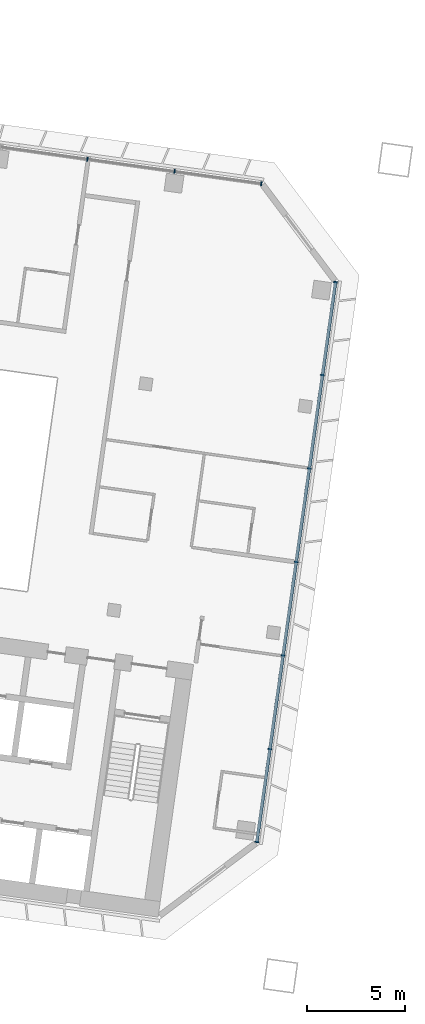
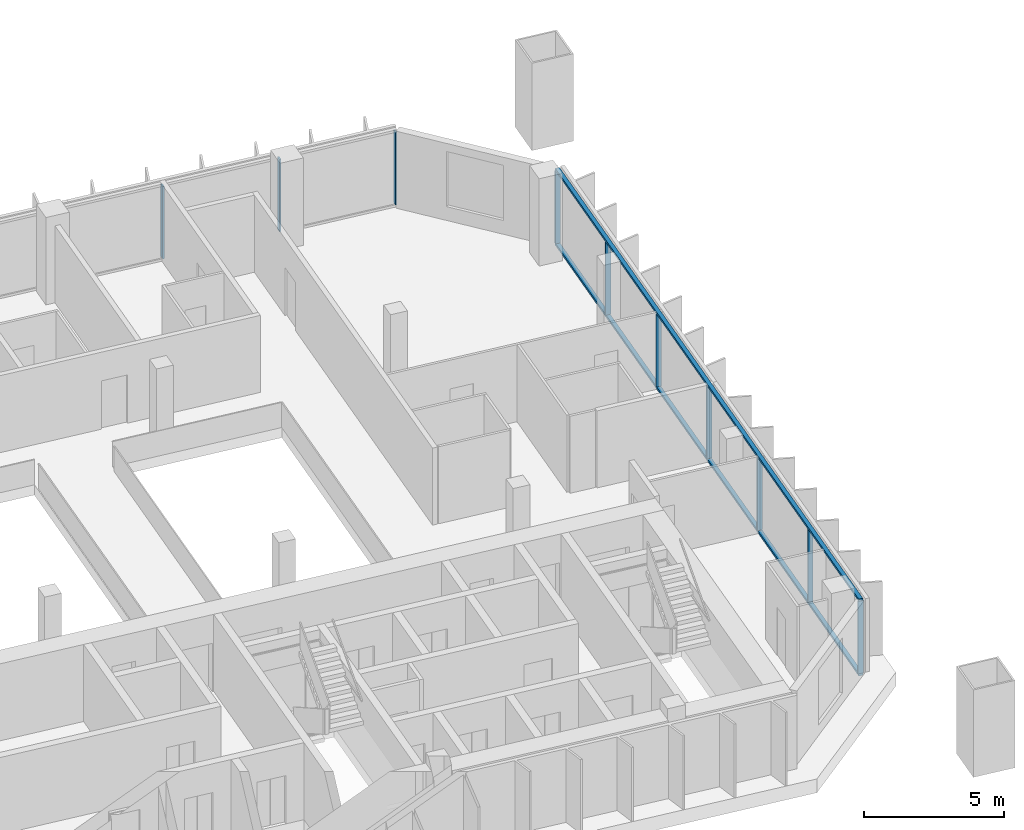
# One storey, part 6 of 26: 12 members, 2 elements without a shape of their own.
"""IFC4 building model written with IfcOpenShell, lengths in metres."""

from ifc_helpers import new_model, si_unit, direction, frame, origin, origin_2d, place, context, subcontext, project, spatial, rectangle, extrude, material, material_profile, profile_set, type_object, element, aggregate, save


model = new_model("IFC4")

# Units and contexts
model_context = context("Model", 3, precision=1e-05, world=origin(), true_north=direction((0.0, 1.0)))
body_context = subcontext(model_context, "Body", "Model", "MODEL_VIEW")
ifc_project = project(units=[si_unit("LENGTHUNIT", "METRE"), si_unit("AREAUNIT", "SQUARE_METRE"), si_unit("VOLUMEUNIT", "CUBIC_METRE"), si_unit("PLANEANGLEUNIT", "RADIAN"), si_unit("MASSUNIT", "GRAM", prefix="KILO")], contexts=[model_context])

# Site, building, storey
site_placement = place(None, origin())
site = spatial("IfcSite", under=ifc_project, at=site_placement, CompositionType="ELEMENT")
building_placement = place(site_placement, origin())
building = spatial("IfcBuilding", under=site, at=building_placement, Name="Mirante Cascada Hotel Towers", CompositionType="ELEMENT")
storey_placement = place(building_placement, frame((0.0, 0.0, 140.5)))
storey = spatial("IfcBuildingStorey", under=building, at=storey_placement, Name="L32", CompositionType="ELEMENT", Elevation=140.5)

# Curtain wall, members
ifc_material_1 = material(Name="Aluminium mullion and transom frame with clear laminated glass", Category="aluminium")
curtain_wall_type_1 = type_object("IfcCurtainWallType", Name="Ribbon curtain wall ECW1", PredefinedType="NOTDEFINED", material=ifc_material_1)
curtain_wall_1_placement = place(storey_placement, origin())
curtain_wall_1 = element("IfcCurtainWall", 1, at=curtain_wall_1_placement, inside=storey, type_object=curtain_wall_type_1, Name="Front ribbon wall T1 L32", PredefinedType="NOTDEFINED")
ifc_material_2 = material(Name="Anodised aluminium extrusion", Category="aluminium")
ifc_material_profile_1 = material_profile(ifc_material_2, rectangle(XDim=0.2, YDim=0.065, at=origin_2d()), Name="ECW1 MULLION 65x200")
ifc_profile_set_1 = profile_set([ifc_material_profile_1], Name="Anodised aluminium extrusion")
member_type_1 = type_object("IfcMemberType", Name="ECW1 mullion 65x200", PredefinedType="MULLION", material=ifc_profile_set_1)
member_1_placement = place(storey_placement, frame((-40.7892, 18.5516, 0.1), z_axis=(0.0, 0.0, 1.0), x_axis=(0.1391731, 0.9902681, 0.0)))
member_1 = element("IfcMember", 2, at=member_1_placement, type_object=member_type_1, Name="ECW1 mullion 13", PredefinedType="MULLION", context=body_context, shape_type="SweptSolid", body=[
    extrude(rectangle(XDim=0.2, YDim=0.065, at=origin_2d()), origin(), (0.0, 0.0, 1.0), 3.15),
])
member_2_placement = place(storey_placement, frame((-36.3417, 17.9265, 0.1), z_axis=(0.0, 0.0, 1.0), x_axis=(0.1391731, 0.9902681, 0.0)))
member_2 = element("IfcMember", 3, at=member_2_placement, type_object=member_type_1, Name="ECW1 mullion 14", PredefinedType="MULLION", context=body_context, shape_type="SweptSolid", body=[
    extrude(rectangle(XDim=0.2, YDim=0.065, at=origin_2d()), origin(), (0.0, 0.0, 1.0), 3.15),
])
member_3_placement = place(storey_placement, frame((-31.9265, 17.306, 0.1), z_axis=(0.0, 0.0, 1.0), x_axis=(0.1391731, 0.9902681, 0.0)))
member_3 = element("IfcMember", 4, at=member_3_placement, type_object=member_type_1, Name="ECW1 mullion 15", PredefinedType="MULLION", context=body_context, shape_type="SweptSolid", body=[
    extrude(rectangle(XDim=0.2, YDim=0.065, at=origin_2d()), origin(), (0.0, 0.0, 1.0), 3.15),
])
aggregate(curtain_wall_1, [member_1, member_2, member_3])

ifc_material_3 = material(Name="Aluminium mullion and transom frame with clear laminated glass", Category="aluminium")
curtain_wall_type_2 = type_object("IfcCurtainWallType", Name="End ribbon curtain wall ECW2", PredefinedType="NOTDEFINED", material=ifc_material_3)
curtain_wall_2_placement = place(storey_placement, origin())
curtain_wall_2 = element("IfcCurtainWall", 5, at=curtain_wall_2_placement, inside=storey, type_object=curtain_wall_type_2, Name="Inner end wall T1 L32", PredefinedType="NOTDEFINED")
ifc_material_4 = material(Name="Anodised aluminium extrusion", Category="aluminium")
ifc_material_profile_2 = material_profile(ifc_material_4, rectangle(XDim=0.2, YDim=0.065, at=origin_2d()), Name="ECW2 MULLION 65x200")
ifc_profile_set_2 = profile_set([ifc_material_profile_2], Name="Anodised aluminium extrusion")
member_type_2 = type_object("IfcMemberType", Name="ECW2 mullion 65x200", PredefinedType="MULLION", material=ifc_profile_set_2)
member_4_placement = place(storey_placement, frame((-28.1437, 12.2861, 0.1), z_axis=(0.0, 0.0, 1.0), x_axis=(0.9902681, -0.1391731, 0.0)))
member_4 = element("IfcMember", 6, at=member_4_placement, type_object=member_type_2, Name="ECW2 mullion 1", PredefinedType="MULLION", context=body_context, shape_type="SweptSolid", body=[
    extrude(rectangle(XDim=0.2, YDim=0.065, at=origin_2d()), origin(), (0.0, 0.0, 1.0), 3.15),
])
member_5_placement = place(storey_placement, frame((-28.809, 7.5524, 0.1), z_axis=(0.0, 0.0, 1.0), x_axis=(0.9902681, -0.1391731, 0.0)))
member_5 = element("IfcMember", 7, at=member_5_placement, type_object=member_type_2, Name="ECW2 mullion 2", PredefinedType="MULLION", context=body_context, shape_type="SweptSolid", body=[
    extrude(rectangle(XDim=0.2, YDim=0.065, at=origin_2d()), origin(), (0.0, 0.0, 1.0), 3.15),
])
member_6_placement = place(storey_placement, frame((-29.4788, 2.7867, 0.1), z_axis=(0.0, 0.0, 1.0), x_axis=(0.9902681, -0.1391731, 0.0)))
member_6 = element("IfcMember", 8, at=member_6_placement, type_object=member_type_2, Name="ECW2 mullion 3", PredefinedType="MULLION", context=body_context, shape_type="SweptSolid", body=[
    extrude(rectangle(XDim=0.2, YDim=0.065, at=origin_2d()), origin(), (0.0, 0.0, 1.0), 3.15),
])
member_7_placement = place(storey_placement, frame((-30.1485, -1.9791, 0.1), z_axis=(0.0, 0.0, 1.0), x_axis=(0.9902681, -0.1391731, 0.0)))
member_7 = element("IfcMember", 9, at=member_7_placement, type_object=member_type_2, Name="ECW2 mullion 4", PredefinedType="MULLION", context=body_context, shape_type="SweptSolid", body=[
    extrude(rectangle(XDim=0.2, YDim=0.065, at=origin_2d()), origin(), (0.0, 0.0, 1.0), 3.15),
])
member_8_placement = place(storey_placement, frame((-30.8183, -6.7449, 0.1), z_axis=(0.0, 0.0, 1.0), x_axis=(0.9902681, -0.1391731, 0.0)))
member_8 = element("IfcMember", 10, at=member_8_placement, type_object=member_type_2, Name="ECW2 mullion 5", PredefinedType="MULLION", context=body_context, shape_type="SweptSolid", body=[
    extrude(rectangle(XDim=0.2, YDim=0.065, at=origin_2d()), origin(), (0.0, 0.0, 1.0), 3.15),
])
member_9_placement = place(storey_placement, frame((-31.4881, -11.5107, 0.1), z_axis=(0.0, 0.0, 1.0), x_axis=(0.9902681, -0.1391731, 0.0)))
member_9 = element("IfcMember", 11, at=member_9_placement, type_object=member_type_2, Name="ECW2 mullion 6", PredefinedType="MULLION", context=body_context, shape_type="SweptSolid", body=[
    extrude(rectangle(XDim=0.2, YDim=0.065, at=origin_2d()), origin(), (0.0, 0.0, 1.0), 3.15),
])
member_10_placement = place(storey_placement, frame((-32.1534, -16.2443, 0.1), z_axis=(0.0, 0.0, 1.0), x_axis=(0.9902681, -0.1391731, 0.0)))
member_10 = element("IfcMember", 12, at=member_10_placement, type_object=member_type_2, Name="ECW2 mullion 7", PredefinedType="MULLION", context=body_context, shape_type="SweptSolid", body=[
    extrude(rectangle(XDim=0.2, YDim=0.065, at=origin_2d()), origin(), (0.0, 0.0, 1.0), 3.15),
])
ifc_material_5 = material(Name="Anodised aluminium extrusion", Category="aluminium")
ifc_material_profile_3 = material_profile(ifc_material_5, rectangle(XDim=0.16, YDim=0.1, at=origin_2d()), Name="ECW2 TRANSOM 100x160")
ifc_profile_set_3 = profile_set([ifc_material_profile_3], Name="Anodised aluminium extrusion")
member_type_3 = type_object("IfcMemberType", Name="ECW2 transom 100x160", PredefinedType="USERDEFINED", material=ifc_profile_set_3)
member_11_placement = place(storey_placement, frame((-28.1392, 12.3182, 0.05), z_axis=(-0.1391723, -0.9902682, 0.0), x_axis=(0.9902682, -0.1391723, 0.0)))
member_11 = element("IfcMember", 13, at=member_11_placement, type_object=member_type_3, Name="ECW2 sill transom", ObjectType="TRANSOM", PredefinedType="USERDEFINED", context=body_context, shape_type="SweptSolid", body=[
    extrude(rectangle(XDim=0.16, YDim=0.1, at=origin_2d()), origin(), (0.0, 0.0, 1.0), 28.8757),
])
member_12_placement = place(storey_placement, frame((-28.1392, 12.3182, 3.3), z_axis=(-0.1391723, -0.9902682, 0.0), x_axis=(0.9902682, -0.1391723, 0.0)))
member_12 = element("IfcMember", 14, at=member_12_placement, type_object=member_type_3, Name="ECW2 head transom", ObjectType="TRANSOM", PredefinedType="USERDEFINED", context=body_context, shape_type="SweptSolid", body=[
    extrude(rectangle(XDim=0.16, YDim=0.1, at=origin_2d()), origin(), (0.0, 0.0, 1.0), 28.8757),
])
aggregate(curtain_wall_2, [member_11, member_12, member_4, member_5, member_6, member_7, member_8, member_9, member_10])

save(model, "model.ifc")
